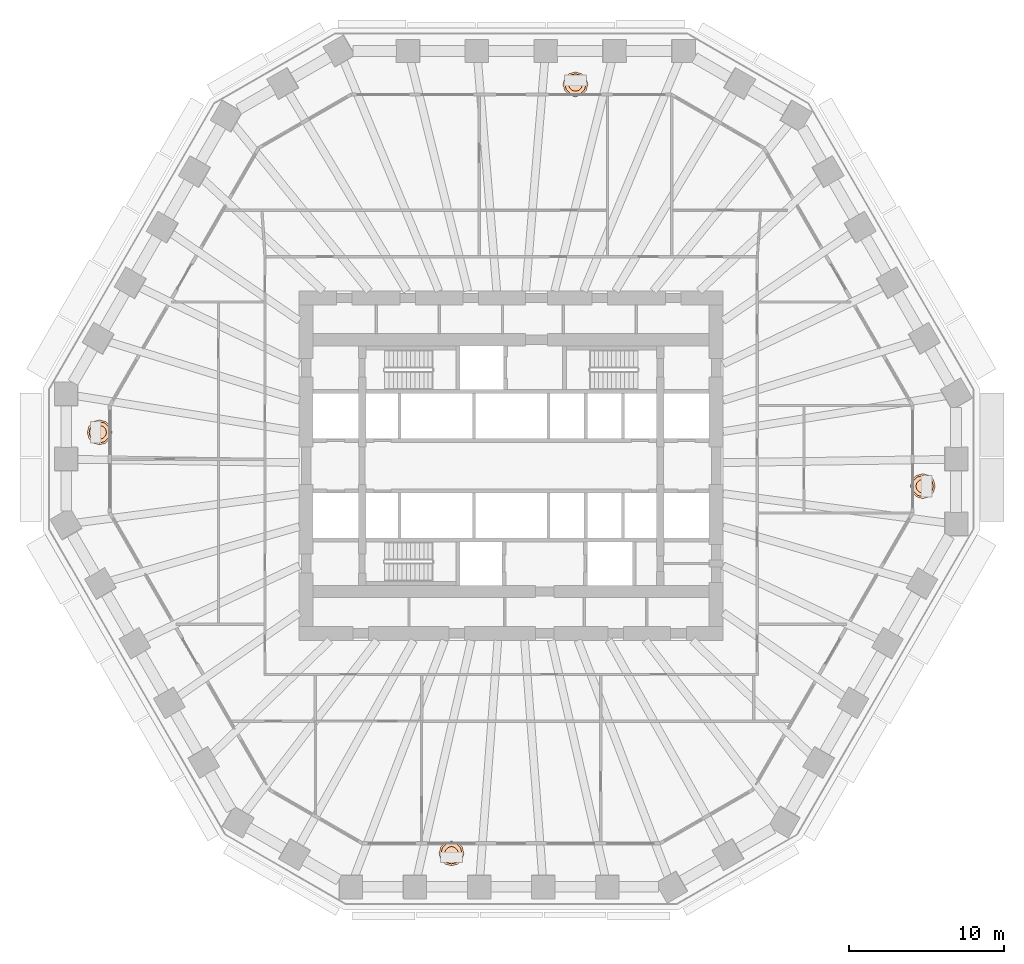
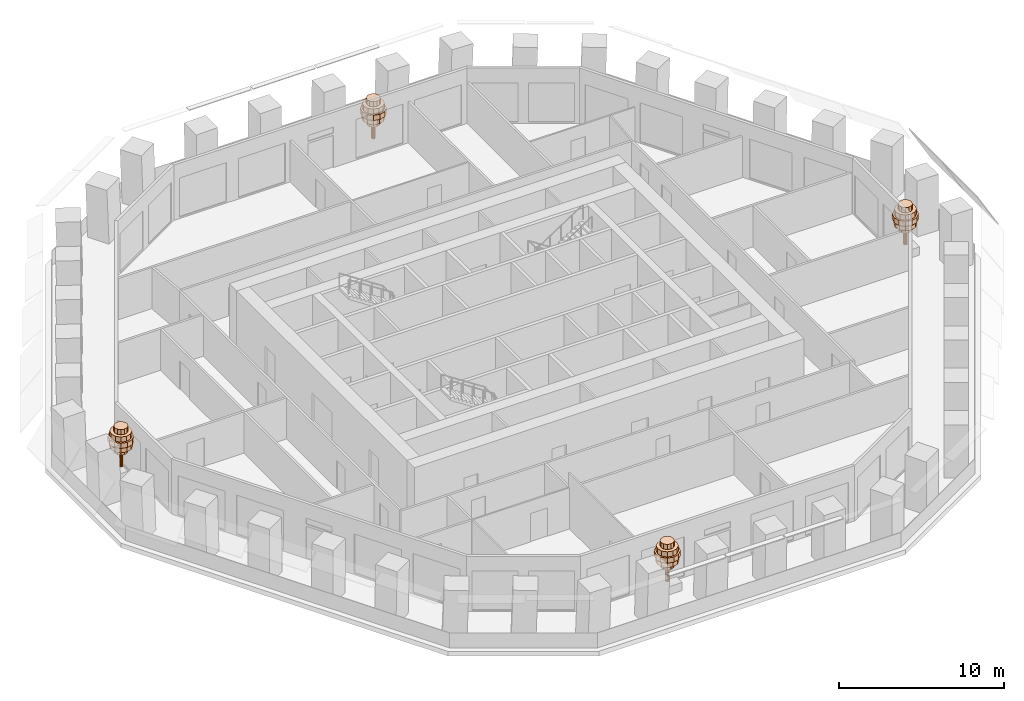
# One storey, part 13 of 13: 4 geographic elements.
"""IFC4 building model written with IfcOpenShell, lengths in metres."""

from ifc_helpers import new_model, si_unit, direction, frame, origin, place, context, subcontext, project, spatial, polyline, outline, extrude, material, type_object, element, save


model = new_model("IFC4")

# Units and contexts
model_context = context("Model", 3, precision=1e-05, world=origin(), true_north=direction((0.0, 1.0)))
body_context = subcontext(model_context, "Body", "Model", "MODEL_VIEW")
ifc_project = project(units=[si_unit("LENGTHUNIT", "METRE"), si_unit("AREAUNIT", "SQUARE_METRE"), si_unit("VOLUMEUNIT", "CUBIC_METRE"), si_unit("PLANEANGLEUNIT", "RADIAN"), si_unit("MASSUNIT", "GRAM", prefix="KILO")], contexts=[model_context])

# Site, building, storey
site_placement = place(None, origin())
site = spatial("IfcSite", under=ifc_project, at=site_placement, CompositionType="ELEMENT")
building_placement = place(site_placement, origin())
building = spatial("IfcBuilding", under=site, at=building_placement, Name="Frailejon Research Tower", CompositionType="ELEMENT")
storey_placement = place(building_placement, frame((0.0, 0.0, 27.800048828125)))
storey = spatial("IfcBuildingStorey", under=building, at=storey_placement, Name="L06", CompositionType="ELEMENT", Elevation=27.800048828125)

# Geographic elements
ifc_material = material(Name="Foliage, green")
geographic_element_type = type_object("IfcGeographicElementType", Name="Frailejon tree, loggia", PredefinedType="USERDEFINED", material=ifc_material)
geographic_element_1_placement = place(storey_placement, frame((26.502197265625, -1.317138671875, 0.599853515625)))
element("IfcGeographicElement", 1, at=geographic_element_1_placement, inside=storey, type_object=geographic_element_type, Name="Tree L06", ObjectType="TREE", PredefinedType="USERDEFINED", context=body_context, shape_type="SweptSolid", body=[
    extrude(outline(polyline([(0.1298828125, 0.0), (0.112548828125, 0.06494140625), (0.06494140625, 0.112548828125), (0.0, 0.1298828125), (-0.06494140625, 0.112548828125), (-0.112548828125, 0.06494140625), (-0.1298828125, 0.0), (-0.112548828125, -0.06494140625), (-0.06494140625, -0.112548828125), (0.0, -0.1298828125), (0.06494140625, -0.112548828125), (0.112548828125, -0.06494140625), (0.1298828125, 0.0)])), origin(), (0.0, 0.0, 1.0), 2.239990234375),
    extrude(outline(polyline([(0.43994140625, 0.0), (0.381103515625, 0.219970703125), (0.219970703125, 0.381103515625), (0.0, 0.43994140625), (-0.219970703125, 0.381103515625), (-0.381103515625, 0.219970703125), (-0.43994140625, 0.0), (-0.381103515625, -0.219970703125), (-0.219970703125, -0.381103515625), (0.0, -0.43994140625), (0.219970703125, -0.381103515625), (0.381103515625, -0.219970703125), (0.43994140625, 0.0)])), frame((0.0, 0.0, 1.10009765625)), (0.0, 0.0, 1.0), 0.3798828125),
    extrude(outline(polyline([(0.719970703125, 0.0), (0.62353515625, 0.360107421875), (0.360107421875, 0.62353515625), (0.0, 0.719970703125), (-0.360107421875, 0.62353515625), (-0.62353515625, 0.360107421875), (-0.719970703125, 0.0), (-0.62353515625, -0.360107421875), (-0.360107421875, -0.62353515625), (0.0, -0.719970703125), (0.360107421875, -0.62353515625), (0.62353515625, -0.360107421875), (0.719970703125, 0.0)])), frame((0.0, 0.0, 1.47998046875)), (0.0, 0.0, 1.0), 0.3798828125),
    extrude(outline(polyline([(0.800048828125, 0.0), (0.69287109375, 0.39990234375), (0.39990234375, 0.69287109375), (0.0, 0.800048828125), (-0.39990234375, 0.69287109375), (-0.69287109375, 0.39990234375), (-0.800048828125, 0.0), (-0.69287109375, -0.39990234375), (-0.39990234375, -0.69287109375), (0.0, -0.800048828125), (0.39990234375, -0.69287109375), (0.69287109375, -0.39990234375), (0.800048828125, 0.0)])), frame((0.0, 0.0, 1.860107421875)), (0.0, 0.0, 1.0), 0.3798828125),
    extrude(outline(polyline([(0.679931640625, 0.0), (0.5888671875, 0.340087890625), (0.340087890625, 0.5888671875), (0.0, 0.679931640625), (-0.340087890625, 0.5888671875), (-0.5888671875, 0.340087890625), (-0.679931640625, 0.0), (-0.5888671875, -0.340087890625), (-0.340087890625, -0.5888671875), (0.0, -0.679931640625), (0.340087890625, -0.5888671875), (0.5888671875, -0.340087890625), (0.679931640625, 0.0)])), frame((0.0, 0.0, 2.239990234375)), (0.0, 0.0, 1.0), 0.3798828125),
    extrude(outline(polyline([(0.43994140625, 0.0), (0.381103515625, 0.219970703125), (0.219970703125, 0.381103515625), (0.0, 0.43994140625), (-0.219970703125, 0.381103515625), (-0.381103515625, 0.219970703125), (-0.43994140625, 0.0), (-0.381103515625, -0.219970703125), (-0.219970703125, -0.381103515625), (0.0, -0.43994140625), (0.219970703125, -0.381103515625), (0.381103515625, -0.219970703125), (0.43994140625, 0.0)])), frame((0.0, 0.0, 2.6201171875)), (0.0, 0.0, 1.0), 0.3798828125),
])
geographic_element_2_placement = place(storey_placement, frame((4.13427734375, 24.550048828125, 0.599853515625)))
element("IfcGeographicElement", 2, at=geographic_element_2_placement, inside=storey, type_object=geographic_element_type, Name="Tree L06", ObjectType="TREE", PredefinedType="USERDEFINED", context=body_context, shape_type="SweptSolid", body=[
    extrude(outline(polyline([(0.1298828125, 0.0), (0.112548828125, 0.06494140625), (0.06494140625, 0.112548828125), (0.0, 0.1298828125), (-0.06494140625, 0.112548828125), (-0.112548828125, 0.06494140625), (-0.1298828125, 0.0), (-0.112548828125, -0.06494140625), (-0.06494140625, -0.112548828125), (0.0, -0.1298828125), (0.06494140625, -0.112548828125), (0.112548828125, -0.06494140625), (0.1298828125, 0.0)])), origin(), (0.0, 0.0, 1.0), 2.239990234375),
    extrude(outline(polyline([(0.43994140625, 0.0), (0.381103515625, 0.219970703125), (0.219970703125, 0.381103515625), (0.0, 0.43994140625), (-0.219970703125, 0.381103515625), (-0.381103515625, 0.219970703125), (-0.43994140625, 0.0), (-0.381103515625, -0.219970703125), (-0.219970703125, -0.381103515625), (0.0, -0.43994140625), (0.219970703125, -0.381103515625), (0.381103515625, -0.219970703125), (0.43994140625, 0.0)])), frame((0.0, 0.0, 1.10009765625)), (0.0, 0.0, 1.0), 0.3798828125),
    extrude(outline(polyline([(0.719970703125, 0.0), (0.62353515625, 0.360107421875), (0.360107421875, 0.62353515625), (0.0, 0.719970703125), (-0.360107421875, 0.62353515625), (-0.62353515625, 0.360107421875), (-0.719970703125, 0.0), (-0.62353515625, -0.360107421875), (-0.360107421875, -0.62353515625), (0.0, -0.719970703125), (0.360107421875, -0.62353515625), (0.62353515625, -0.360107421875), (0.719970703125, 0.0)])), frame((0.0, 0.0, 1.47998046875)), (0.0, 0.0, 1.0), 0.3798828125),
    extrude(outline(polyline([(0.800048828125, 0.0), (0.69287109375, 0.39990234375), (0.39990234375, 0.69287109375), (0.0, 0.800048828125), (-0.39990234375, 0.69287109375), (-0.69287109375, 0.39990234375), (-0.800048828125, 0.0), (-0.69287109375, -0.39990234375), (-0.39990234375, -0.69287109375), (0.0, -0.800048828125), (0.39990234375, -0.69287109375), (0.69287109375, -0.39990234375), (0.800048828125, 0.0)])), frame((0.0, 0.0, 1.860107421875)), (0.0, 0.0, 1.0), 0.3798828125),
    extrude(outline(polyline([(0.679931640625, 0.0), (0.5888671875, 0.340087890625), (0.340087890625, 0.5888671875), (0.0, 0.679931640625), (-0.340087890625, 0.5888671875), (-0.5888671875, 0.340087890625), (-0.679931640625, 0.0), (-0.5888671875, -0.340087890625), (-0.340087890625, -0.5888671875), (0.0, -0.679931640625), (0.340087890625, -0.5888671875), (0.5888671875, -0.340087890625), (0.679931640625, 0.0)])), frame((0.0, 0.0, 2.239990234375)), (0.0, 0.0, 1.0), 0.3798828125),
    extrude(outline(polyline([(0.43994140625, 0.0), (0.381103515625, 0.219970703125), (0.219970703125, 0.381103515625), (0.0, 0.43994140625), (-0.219970703125, 0.381103515625), (-0.381103515625, 0.219970703125), (-0.43994140625, 0.0), (-0.381103515625, -0.219970703125), (-0.219970703125, -0.381103515625), (0.0, -0.43994140625), (0.219970703125, -0.381103515625), (0.381103515625, -0.219970703125), (0.43994140625, 0.0)])), frame((0.0, 0.0, 2.6201171875)), (0.0, 0.0, 1.0), 0.3798828125),
])
geographic_element_3_placement = place(storey_placement, frame((-26.502197265625, 2.14697265625, 0.599853515625)))
element("IfcGeographicElement", 3, at=geographic_element_3_placement, inside=storey, type_object=geographic_element_type, Name="Tree L06", ObjectType="TREE", PredefinedType="USERDEFINED", context=body_context, shape_type="SweptSolid", body=[
    extrude(outline(polyline([(0.1298828125, 0.0), (0.112548828125, 0.06494140625), (0.06494140625, 0.112548828125), (0.0, 0.1298828125), (-0.06494140625, 0.112548828125), (-0.112548828125, 0.06494140625), (-0.1298828125, 0.0), (-0.112548828125, -0.06494140625), (-0.06494140625, -0.112548828125), (0.0, -0.1298828125), (0.06494140625, -0.112548828125), (0.112548828125, -0.06494140625), (0.1298828125, 0.0)])), origin(), (0.0, 0.0, 1.0), 2.239990234375),
    extrude(outline(polyline([(0.43994140625, 0.0), (0.381103515625, 0.219970703125), (0.219970703125, 0.381103515625), (0.0, 0.43994140625), (-0.219970703125, 0.381103515625), (-0.381103515625, 0.219970703125), (-0.43994140625, 0.0), (-0.381103515625, -0.219970703125), (-0.219970703125, -0.381103515625), (0.0, -0.43994140625), (0.219970703125, -0.381103515625), (0.381103515625, -0.219970703125), (0.43994140625, 0.0)])), frame((0.0, 0.0, 1.10009765625)), (0.0, 0.0, 1.0), 0.3798828125),
    extrude(outline(polyline([(0.719970703125, 0.0), (0.62353515625, 0.360107421875), (0.360107421875, 0.62353515625), (0.0, 0.719970703125), (-0.360107421875, 0.62353515625), (-0.62353515625, 0.360107421875), (-0.719970703125, 0.0), (-0.62353515625, -0.360107421875), (-0.360107421875, -0.62353515625), (0.0, -0.719970703125), (0.360107421875, -0.62353515625), (0.62353515625, -0.360107421875), (0.719970703125, 0.0)])), frame((0.0, 0.0, 1.47998046875)), (0.0, 0.0, 1.0), 0.3798828125),
    extrude(outline(polyline([(0.800048828125, 0.0), (0.69287109375, 0.39990234375), (0.39990234375, 0.69287109375), (0.0, 0.800048828125), (-0.39990234375, 0.69287109375), (-0.69287109375, 0.39990234375), (-0.800048828125, 0.0), (-0.69287109375, -0.39990234375), (-0.39990234375, -0.69287109375), (0.0, -0.800048828125), (0.39990234375, -0.69287109375), (0.69287109375, -0.39990234375), (0.800048828125, 0.0)])), frame((0.0, 0.0, 1.860107421875)), (0.0, 0.0, 1.0), 0.3798828125),
    extrude(outline(polyline([(0.679931640625, 0.0), (0.5888671875, 0.340087890625), (0.340087890625, 0.5888671875), (0.0, 0.679931640625), (-0.340087890625, 0.5888671875), (-0.5888671875, 0.340087890625), (-0.679931640625, 0.0), (-0.5888671875, -0.340087890625), (-0.340087890625, -0.5888671875), (0.0, -0.679931640625), (0.340087890625, -0.5888671875), (0.5888671875, -0.340087890625), (0.679931640625, 0.0)])), frame((0.0, 0.0, 2.239990234375)), (0.0, 0.0, 1.0), 0.3798828125),
    extrude(outline(polyline([(0.43994140625, 0.0), (0.381103515625, 0.219970703125), (0.219970703125, 0.381103515625), (0.0, 0.43994140625), (-0.219970703125, 0.381103515625), (-0.381103515625, 0.219970703125), (-0.43994140625, 0.0), (-0.381103515625, -0.219970703125), (-0.219970703125, -0.381103515625), (0.0, -0.43994140625), (0.219970703125, -0.381103515625), (0.381103515625, -0.219970703125), (0.43994140625, 0.0)])), frame((0.0, 0.0, 2.6201171875)), (0.0, 0.0, 1.0), 0.3798828125),
])
geographic_element_4_placement = place(storey_placement, frame((-3.8466796875, -24.96484375, 0.599853515625)))
element("IfcGeographicElement", 4, at=geographic_element_4_placement, inside=storey, type_object=geographic_element_type, Name="Tree L06", ObjectType="TREE", PredefinedType="USERDEFINED", context=body_context, shape_type="SweptSolid", body=[
    extrude(outline(polyline([(0.1298828125, 0.0), (0.112548828125, 0.06494140625), (0.06494140625, 0.112548828125), (0.0, 0.1298828125), (-0.06494140625, 0.112548828125), (-0.112548828125, 0.06494140625), (-0.1298828125, 0.0), (-0.112548828125, -0.06494140625), (-0.06494140625, -0.112548828125), (0.0, -0.1298828125), (0.06494140625, -0.112548828125), (0.112548828125, -0.06494140625), (0.1298828125, 0.0)])), origin(), (0.0, 0.0, 1.0), 2.239990234375),
    extrude(outline(polyline([(0.43994140625, 0.0), (0.381103515625, 0.219970703125), (0.219970703125, 0.381103515625), (0.0, 0.43994140625), (-0.219970703125, 0.381103515625), (-0.381103515625, 0.219970703125), (-0.43994140625, 0.0), (-0.381103515625, -0.219970703125), (-0.219970703125, -0.381103515625), (0.0, -0.43994140625), (0.219970703125, -0.381103515625), (0.381103515625, -0.219970703125), (0.43994140625, 0.0)])), frame((0.0, 0.0, 1.10009765625)), (0.0, 0.0, 1.0), 0.3798828125),
    extrude(outline(polyline([(0.719970703125, 0.0), (0.62353515625, 0.360107421875), (0.360107421875, 0.62353515625), (0.0, 0.719970703125), (-0.360107421875, 0.62353515625), (-0.62353515625, 0.360107421875), (-0.719970703125, 0.0), (-0.62353515625, -0.360107421875), (-0.360107421875, -0.62353515625), (0.0, -0.719970703125), (0.360107421875, -0.62353515625), (0.62353515625, -0.360107421875), (0.719970703125, 0.0)])), frame((0.0, 0.0, 1.47998046875)), (0.0, 0.0, 1.0), 0.3798828125),
    extrude(outline(polyline([(0.800048828125, 0.0), (0.69287109375, 0.39990234375), (0.39990234375, 0.69287109375), (0.0, 0.800048828125), (-0.39990234375, 0.69287109375), (-0.69287109375, 0.39990234375), (-0.800048828125, 0.0), (-0.69287109375, -0.39990234375), (-0.39990234375, -0.69287109375), (0.0, -0.800048828125), (0.39990234375, -0.69287109375), (0.69287109375, -0.39990234375), (0.800048828125, 0.0)])), frame((0.0, 0.0, 1.860107421875)), (0.0, 0.0, 1.0), 0.3798828125),
    extrude(outline(polyline([(0.679931640625, 0.0), (0.5888671875, 0.340087890625), (0.340087890625, 0.5888671875), (0.0, 0.679931640625), (-0.340087890625, 0.5888671875), (-0.5888671875, 0.340087890625), (-0.679931640625, 0.0), (-0.5888671875, -0.340087890625), (-0.340087890625, -0.5888671875), (0.0, -0.679931640625), (0.340087890625, -0.5888671875), (0.5888671875, -0.340087890625), (0.679931640625, 0.0)])), frame((0.0, 0.0, 2.239990234375)), (0.0, 0.0, 1.0), 0.3798828125),
    extrude(outline(polyline([(0.43994140625, 0.0), (0.381103515625, 0.219970703125), (0.219970703125, 0.381103515625), (0.0, 0.43994140625), (-0.219970703125, 0.381103515625), (-0.381103515625, 0.219970703125), (-0.43994140625, 0.0), (-0.381103515625, -0.219970703125), (-0.219970703125, -0.381103515625), (0.0, -0.43994140625), (0.219970703125, -0.381103515625), (0.381103515625, -0.219970703125), (0.43994140625, 0.0)])), frame((0.0, 0.0, 2.6201171875)), (0.0, 0.0, 1.0), 0.3798828125),
])

save(model, "model.ifc")
